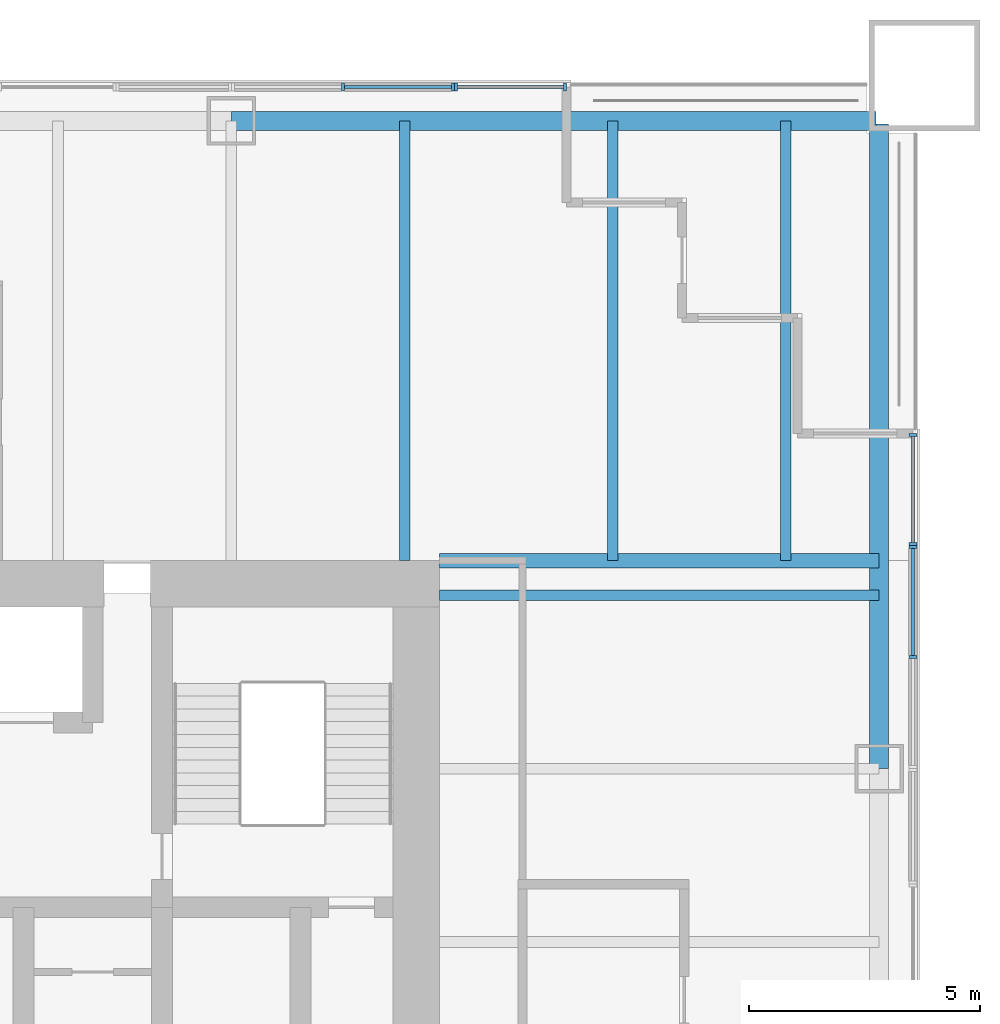
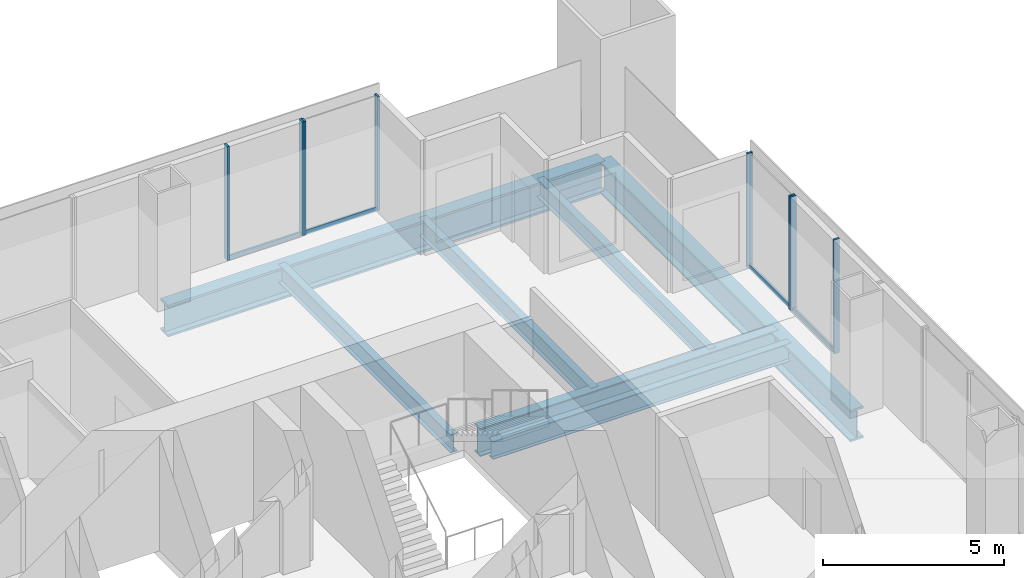
# One storey, part 6 of 13: 12 members, 7 beams, 4 elements without a shape of their own.
"""IFC4 building model written with IfcOpenShell, lengths in metres."""

from ifc_helpers import new_model, si_unit, direction, frame, origin, origin_2d, place, context, subcontext, project, spatial, rectangle, i_section, extrude, material, material_profile, profile_set, type_object, element, aggregate, save


model = new_model("IFC4")

# Units and contexts
model_context = context("Model", 3, precision=1e-05, world=origin(), true_north=direction((0.0, 1.0)))
body_context = subcontext(model_context, "Body", "Model", "MODEL_VIEW")
ifc_project = project(units=[si_unit("LENGTHUNIT", "METRE"), si_unit("AREAUNIT", "SQUARE_METRE"), si_unit("VOLUMEUNIT", "CUBIC_METRE"), si_unit("PLANEANGLEUNIT", "RADIAN"), si_unit("MASSUNIT", "GRAM", prefix="KILO")], contexts=[model_context])

# Site, building, storey
site_placement = place(None, origin())
site = spatial("IfcSite", under=ifc_project, at=site_placement, CompositionType="ELEMENT")
building_placement = place(site_placement, origin())
building = spatial("IfcBuilding", under=site, at=building_placement, Name="Tarangal Relay Tower", CompositionType="ELEMENT")
storey_placement = place(building_placement, frame((0.0, 0.0, 225.89990234375)))
storey = spatial("IfcBuildingStorey", under=building, at=storey_placement, Name="L48", CompositionType="ELEMENT", Elevation=225.89990234375)

# Beams
ifc_material_1 = material(Name="Steel ASTM A992", Category="steel")
ifc_material_profile_1 = material_profile(ifc_material_1, i_section(OverallWidth=0.227783203125, OverallDepth=0.60205078125, WebThickness=0.010498046875, FlangeThickness=0.014892578125, at=origin_2d()), Name="W24X68")
ifc_profile_set_1 = profile_set([ifc_material_profile_1], Name="Steel ASTM A992")
beam_type_1 = type_object("IfcBeamType", Name="Corner beam W24X68", PredefinedType="JOIST", material=ifc_profile_set_1)
for number, where, z_axis, x_axis, name in (
    (1, (15.75, 12.0, -0.450927734375), (0.0, 1.0, 0.0), (-1.0, 0.0, 0.0), "Corner beam CB11 N L48"),
    (2, (19.5, 12.0, -0.450927734375), (0.0, 1.0, 0.0), (-1.0, 0.0, 0.0), "Corner beam CB11 N L48"),
):
    element("IfcBeam", number, at=place(storey_placement, frame(where, z_axis=z_axis, x_axis=x_axis)), inside=storey, type_object=beam_type_1, Name=name, PredefinedType="JOIST", context=body_context, shape_type="SweptSolid", body=[
        extrude(i_section(OverallWidth=0.227783203125, OverallDepth=0.60205078125, WebThickness=0.010498046875, FlangeThickness=0.014892578125, at=origin_2d()), origin(), (0.0, 0.0, 1.0), 9.514892578125),
    ])
ifc_material_profile_2 = material_profile(ifc_material_1, i_section(OverallWidth=0.307373046875, OverallDepth=0.9423828125, WebThickness=0.022216796875, FlangeThickness=0.039794921875, at=origin_2d()), Name="W36X232")
ifc_profile_set_2 = profile_set([ifc_material_profile_2], Name="Steel ASTM A992")
beam_type_2 = type_object("IfcBeamType", Name="Corner girder W36X232", PredefinedType="BEAM", material=ifc_profile_set_2)
beam_placement = place(storey_placement, frame((12.0, 12.0, -0.62109375), z_axis=(1.0, 0.0, 0.0), x_axis=(0.0, 1.0, 0.0)))
element("IfcBeam", 3, at=beam_placement, inside=storey, type_object=beam_type_2, Name="Corner girder CG4 N L48", PredefinedType="BEAM", context=body_context, shape_type="SweptSolid", body=[
    extrude(i_section(OverallWidth=0.307373046875, OverallDepth=0.9423828125, WebThickness=0.022216796875, FlangeThickness=0.039794921875, at=origin_2d()), origin(), (0.0, 0.0, 1.0), 9.514892578125),
])
ifc_material_profile_3 = material_profile(ifc_material_1, i_section(OverallWidth=0.41650390625, OverallDepth=1.0693359375, WebThickness=0.0390625, FlangeThickness=0.070068359375, at=origin_2d()), Name="W40X503")
ifc_profile_set_3 = profile_set([ifc_material_profile_3], Name="Steel ASTM A992")
beam_type_3 = type_object("IfcBeamType", Name="Edge girder W40X503", PredefinedType="SPANDREL", material=ifc_profile_set_3)
for number, where, z_axis, x_axis, name in (
    (4, (7.5, 21.514892578125, -0.6845703125), (1.0, 0.0, 0.0), (0.0, 1.0, 0.0), "Edge girder EG8 N L48"),
    (5, (21.514892578125, 21.449951171875, -0.6845703125), (0.0, -1.0, 0.0), (1.0, 0.0, 0.0), "Edge girder EG8 E L48"),
):
    element("IfcBeam", number, at=place(storey_placement, frame(where, z_axis=z_axis, x_axis=x_axis)), inside=storey, type_object=beam_type_3, Name=name, PredefinedType="SPANDREL", context=body_context, shape_type="SweptSolid", body=[
        extrude(i_section(OverallWidth=0.41650390625, OverallDepth=1.0693359375, WebThickness=0.0390625, FlangeThickness=0.070068359375, at=origin_2d()), origin(), (0.0, 0.0, 1.0), 13.949951171875),
    ])
ifc_material_profile_4 = material_profile(ifc_material_1, i_section(OverallWidth=0.22900390625, OverallDepth=0.612060546875, WebThickness=0.011962890625, FlangeThickness=0.01953125, at=origin_2d()), Name="W24X84")
ifc_profile_set_4 = profile_set([ifc_material_profile_4], Name="Steel ASTM A992")
beam_type_4 = type_object("IfcBeamType", Name="Floor beam W24X84", PredefinedType="BEAM", material=ifc_profile_set_4)
for number, where, z_axis, x_axis, name in (
    (6, (11.25, 12.0, -0.455810546875), (0.0, 1.0, 0.0), (-1.0, 0.0, 0.0), "Floor beam RB12 N L48"),
    (7, (12.0, 11.25, -0.455810546875), (1.0, 0.0, 0.0), (0.0, 1.0, 0.0), "Floor beam RB12 E L48"),
):
    element("IfcBeam", number, at=place(storey_placement, frame(where, z_axis=z_axis, x_axis=x_axis)), inside=storey, type_object=beam_type_4, Name=name, PredefinedType="BEAM", context=body_context, shape_type="SweptSolid", body=[
        extrude(i_section(OverallWidth=0.22900390625, OverallDepth=0.612060546875, WebThickness=0.011962890625, FlangeThickness=0.01953125, at=origin_2d()), origin(), (0.0, 0.0, 1.0), 9.514892578125),
    ])

# Curtain wall, members
ifc_material_2 = material(Name="Unitised curtain wall, dark glass and black aluminium", Category="aluminium")
curtain_wall_type_1 = type_object("IfcCurtainWallType", Name="Curtain wall CW-A", PredefinedType="USERDEFINED", material=ifc_material_2)
curtain_wall_1_placement = place(storey_placement, origin())
curtain_wall_1 = element("IfcCurtainWall", 8, at=curtain_wall_1_placement, inside=storey, type_object=curtain_wall_type_1, Name="Curtain wall CW-A N facade L48", ObjectType="UNITISED CURTAIN WALL", PredefinedType="USERDEFINED")
ifc_material_3 = material(Name="Black anodised aluminium mullion", Category="aluminium")
ifc_material_profile_5 = material_profile(ifc_material_3, rectangle(XDim=0.175048828125, YDim=0.06494140625, at=origin_2d()), Name="CW-AM 65X175")
ifc_profile_set_5 = profile_set([ifc_material_profile_5], Name="Black anodised aluminium mullion")
member_type_1 = type_object("IfcMemberType", Name="Mullion CW-A 65 x 175", PredefinedType="MULLION", material=ifc_profile_set_5)
member_1_placement = place(storey_placement, frame((12.36572265625, 22.25, 0.0), z_axis=(0.0, 0.0, 1.0), x_axis=(0.0, 1.0, 0.0)))
member_1 = element("IfcMember", 9, at=member_1_placement, type_object=member_type_1, Name="CW-A mullion 1", PredefinedType="MULLION", context=body_context, shape_type="SweptSolid", body=[
    extrude(rectangle(XDim=0.175048828125, YDim=0.06494140625, at=origin_2d()), origin(), (0.0, 0.0, 1.0), 3.85009765625),
])
member_2_placement = place(storey_placement, frame((14.717529296875, 22.25, 0.0), z_axis=(0.0, 0.0, 1.0), x_axis=(0.0, 1.0, 0.0)))
member_2 = element("IfcMember", 10, at=member_2_placement, type_object=member_type_1, Name="CW-A mullion 2", PredefinedType="MULLION", context=body_context, shape_type="SweptSolid", body=[
    extrude(rectangle(XDim=0.175048828125, YDim=0.06494140625, at=origin_2d()), origin(), (0.0, 0.0, 1.0), 3.85009765625),
])

curtain_wall_2_placement = place(storey_placement, origin())
curtain_wall_2 = element("IfcCurtainWall", 11, at=curtain_wall_2_placement, inside=storey, type_object=curtain_wall_type_1, Name="Curtain wall CW-A E facade L48", ObjectType="UNITISED CURTAIN WALL", PredefinedType="USERDEFINED")
member_3_placement = place(storey_placement, frame((22.25, 14.717529296875, 0.0), z_axis=(0.0, 0.0, 1.0), x_axis=(1.0, 0.0, 0.0)))
member_3 = element("IfcMember", 12, at=member_3_placement, type_object=member_type_1, Name="CW-A mullion 1", PredefinedType="MULLION", context=body_context, shape_type="SweptSolid", body=[
    extrude(rectangle(XDim=0.175048828125, YDim=0.06494140625, at=origin_2d()), origin(), (0.0, 0.0, 1.0), 3.85009765625),
])
member_4_placement = place(storey_placement, frame((22.25, 12.36572265625, 0.0), z_axis=(0.0, 0.0, 1.0), x_axis=(1.0, 0.0, 0.0)))
member_4 = element("IfcMember", 13, at=member_4_placement, type_object=member_type_1, Name="CW-A mullion 2", PredefinedType="MULLION", context=body_context, shape_type="SweptSolid", body=[
    extrude(rectangle(XDim=0.175048828125, YDim=0.06494140625, at=origin_2d()), origin(), (0.0, 0.0, 1.0), 3.85009765625),
])

ifc_material_4 = material(Name="Unitised curtain wall frame, black aluminium, with metal clad infill walls", Category="aluminium")
curtain_wall_type_2 = type_object("IfcCurtainWallType", Name="Curtain wall CW-AO", PredefinedType="USERDEFINED", material=ifc_material_4)
curtain_wall_3_placement = place(storey_placement, origin())
curtain_wall_3 = element("IfcCurtainWall", 14, at=curtain_wall_3_placement, inside=storey, type_object=curtain_wall_type_2, Name="Curtain wall CW-AO N facade L48", ObjectType="UNITISED CURTAIN WALL", PredefinedType="USERDEFINED")
ifc_material_profile_6 = material_profile(ifc_material_3, rectangle(XDim=0.175048828125, YDim=0.06494140625, at=origin_2d()), Name="CW-AOM 65X175")
ifc_profile_set_6 = profile_set([ifc_material_profile_6], Name="Black anodised aluminium mullion")
member_type_2 = type_object("IfcMemberType", Name="Mullion CW-AO 65 x 175", PredefinedType="MULLION", material=ifc_profile_set_6)
member_5_placement = place(storey_placement, frame((9.916748046875, 22.25, 0.0), z_axis=(0.0, 0.0, 1.0), x_axis=(0.0, 1.0, 0.0)))
member_5 = element("IfcMember", 15, at=member_5_placement, type_object=member_type_2, Name="CW-AO mullion 2", PredefinedType="MULLION", context=body_context, shape_type="SweptSolid", body=[
    extrude(rectangle(XDim=0.175048828125, YDim=0.06494140625, at=origin_2d()), origin(), (0.0, 0.0, 1.0), 3.85009765625),
])
member_6_placement = place(storey_placement, frame((12.30078125, 22.25, 0.0), z_axis=(0.0, 0.0, 1.0), x_axis=(0.0, 1.0, 0.0)))
member_6 = element("IfcMember", 16, at=member_6_placement, type_object=member_type_2, Name="CW-AO mullion 3", PredefinedType="MULLION", context=body_context, shape_type="SweptSolid", body=[
    extrude(rectangle(XDim=0.175048828125, YDim=0.06494140625, at=origin_2d()), origin(), (0.0, 0.0, 1.0), 3.85009765625),
])

curtain_wall_4_placement = place(storey_placement, origin())
curtain_wall_4 = element("IfcCurtainWall", 17, at=curtain_wall_4_placement, inside=storey, type_object=curtain_wall_type_2, Name="Curtain wall CW-AO E facade L48", ObjectType="UNITISED CURTAIN WALL", PredefinedType="USERDEFINED")
member_7_placement = place(storey_placement, frame((22.25, 12.30078125, 0.0), z_axis=(0.0, 0.0, 1.0), x_axis=(1.0, 0.0, 0.0)))
member_7 = element("IfcMember", 18, at=member_7_placement, type_object=member_type_2, Name="CW-AO mullion 1", PredefinedType="MULLION", context=body_context, shape_type="SweptSolid", body=[
    extrude(rectangle(XDim=0.175048828125, YDim=0.06494140625, at=origin_2d()), origin(), (0.0, 0.0, 1.0), 3.85009765625),
])
member_8_placement = place(storey_placement, frame((22.25, 9.916748046875, 0.0), z_axis=(0.0, 0.0, 1.0), x_axis=(1.0, 0.0, 0.0)))
member_8 = element("IfcMember", 19, at=member_8_placement, type_object=member_type_2, Name="CW-AO mullion 2", PredefinedType="MULLION", context=body_context, shape_type="SweptSolid", body=[
    extrude(rectangle(XDim=0.175048828125, YDim=0.06494140625, at=origin_2d()), origin(), (0.0, 0.0, 1.0), 3.85009765625),
])

# Member
ifc_material_5 = material(Name="Black anodised aluminium transom", Category="aluminium")
ifc_material_profile_7 = material_profile(ifc_material_5, rectangle(XDim=0.06494140625, YDim=0.14990234375, at=origin_2d()), Name="CW-AT 65X150")
ifc_profile_set_7 = profile_set([ifc_material_profile_7], Name="Black anodised aluminium transom")
member_type_3 = type_object("IfcMemberType", Name="Transom CW-A 65 x 150", PredefinedType="USERDEFINED", material=ifc_profile_set_7)
member_9_placement = place(storey_placement, frame((12.398193359375, 22.25, 0.03271484375), z_axis=(1.0, 0.0, 0.0), x_axis=(0.0, 1.0, 0.0)))
member_9 = element("IfcMember", 20, at=member_9_placement, type_object=member_type_3, Name="CW-A transom 1.1", ObjectType="TRANSOM", PredefinedType="USERDEFINED", context=body_context, shape_type="SweptSolid", body=[
    extrude(rectangle(XDim=0.06494140625, YDim=0.14990234375, at=origin_2d()), origin(), (0.0, 0.0, 1.0), 2.286865234375),
])

aggregate(curtain_wall_1, [member_1, member_2, member_9])

member_10_placement = place(storey_placement, frame((22.25, 14.68505859375, 0.03271484375), z_axis=(0.0, -1.0, 0.0), x_axis=(1.0, 0.0, 0.0)))
member_10 = element("IfcMember", 21, at=member_10_placement, type_object=member_type_3, Name="CW-A transom 1.1", ObjectType="TRANSOM", PredefinedType="USERDEFINED", context=body_context, shape_type="SweptSolid", body=[
    extrude(rectangle(XDim=0.06494140625, YDim=0.14990234375, at=origin_2d()), origin(), (0.0, 0.0, 1.0), 2.286865234375),
])

aggregate(curtain_wall_2, [member_3, member_4, member_10])

ifc_material_profile_8 = material_profile(ifc_material_5, rectangle(XDim=0.06494140625, YDim=0.14990234375, at=origin_2d()), Name="CW-AOT 65X150")
ifc_profile_set_8 = profile_set([ifc_material_profile_8], Name="Black anodised aluminium transom")
member_type_4 = type_object("IfcMemberType", Name="Transom CW-AO 65 x 150", PredefinedType="USERDEFINED", material=ifc_profile_set_8)
member_11_placement = place(storey_placement, frame((9.94921875, 22.25, 0.03271484375), z_axis=(1.0, 0.0, 0.0), x_axis=(0.0, 1.0, 0.0)))
member_11 = element("IfcMember", 22, at=member_11_placement, type_object=member_type_4, Name="CW-AO transom 2.1", ObjectType="TRANSOM", PredefinedType="USERDEFINED", context=body_context, shape_type="SweptSolid", body=[
    extrude(rectangle(XDim=0.06494140625, YDim=0.14990234375, at=origin_2d()), origin(), (0.0, 0.0, 1.0), 2.319091796875),
])

aggregate(curtain_wall_3, [member_5, member_6, member_11])

member_12_placement = place(storey_placement, frame((22.25, 12.268310546875, 0.03271484375), z_axis=(0.0, -1.0, 0.0), x_axis=(1.0, 0.0, 0.0)))
member_12 = element("IfcMember", 23, at=member_12_placement, type_object=member_type_4, Name="CW-AO transom 1.1", ObjectType="TRANSOM", PredefinedType="USERDEFINED", context=body_context, shape_type="SweptSolid", body=[
    extrude(rectangle(XDim=0.06494140625, YDim=0.14990234375, at=origin_2d()), origin(), (0.0, 0.0, 1.0), 2.319091796875),
])

aggregate(curtain_wall_4, [member_7, member_8, member_12])

save(model, "model.ifc")
